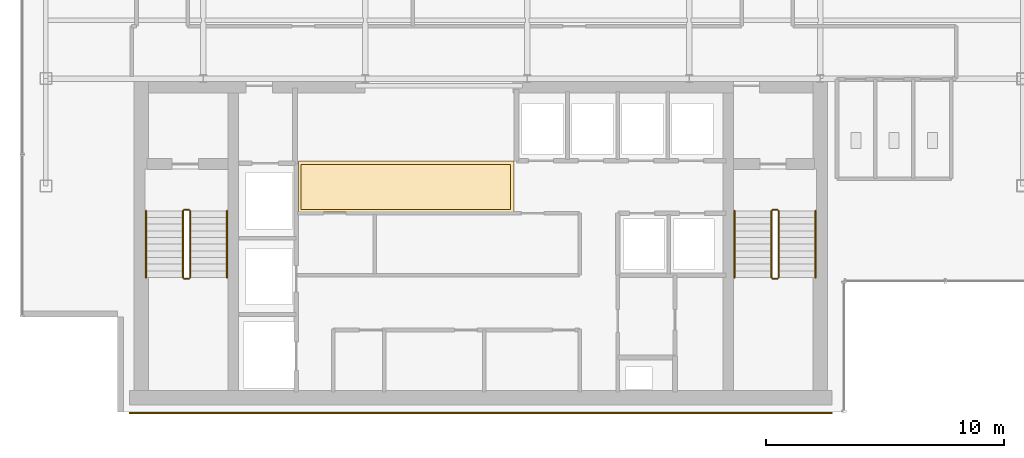
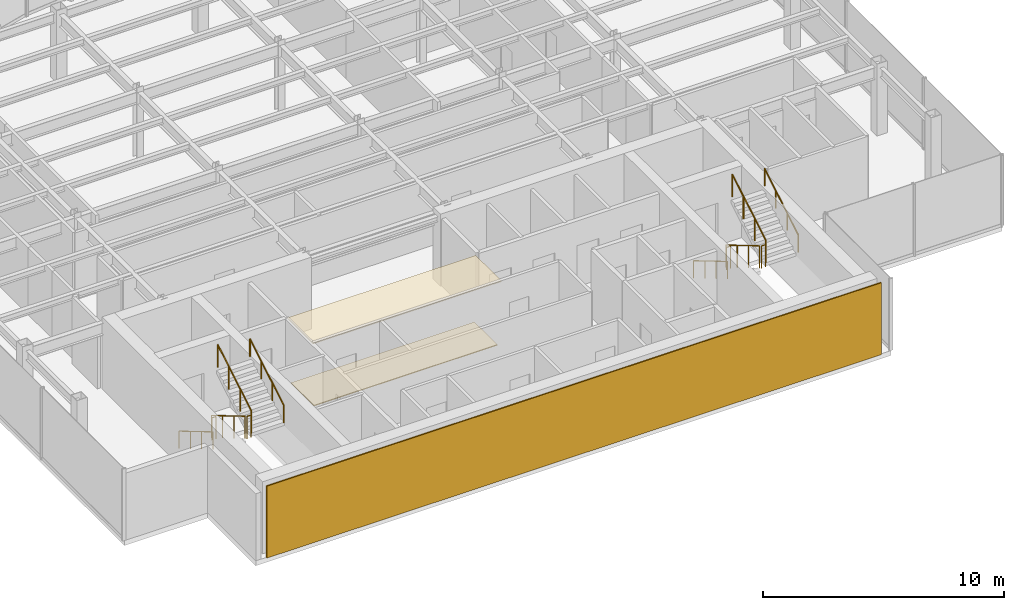
# One storey, part 20 of 22: 12 railings, 3 coverings.
"""IFC4 building model written with IfcOpenShell, lengths in metres."""

from ifc_helpers import new_model, si_unit, derived_unit, direction, frame, origin, origin_2d, place, context, subcontext, project, spatial, polyline, rectangle, circle, outline, extrude, source, transform, mapped, material, layer, layer_set, type_object, element, save


model = new_model("IFC4")

# Units and contexts
model_context = context("Model", 3, precision=1e-05, world=origin(), true_north=direction((0.0, 1.0)))
body_context = subcontext(model_context, "Body", "Model", "MODEL_VIEW")
ifc_project = project(units=[si_unit("LENGTHUNIT", "METRE"), si_unit("AREAUNIT", "SQUARE_METRE"), si_unit("VOLUMEUNIT", "CUBIC_METRE"), si_unit("PLANEANGLEUNIT", "RADIAN"), si_unit("MASSUNIT", "GRAM", prefix="KILO"), derived_unit("THERMALTRANSMITTANCEUNIT", [(si_unit("POWERUNIT", "WATT"), 1), (si_unit("LENGTHUNIT", "METRE"), -2), (si_unit("THERMODYNAMICTEMPERATUREUNIT", "KELVIN"), -1)])], contexts=[model_context])

# Site, building, storey
site_placement = place(None, origin())
site = spatial("IfcSite", under=ifc_project, at=site_placement, CompositionType="ELEMENT")
building_placement = place(site_placement, origin())
building = spatial("IfcBuilding", under=site, at=building_placement, Name="Skarnbrae Concourse Arena and Tower", CompositionType="ELEMENT")
storey_placement = place(building_placement, frame((0.0, 0.0, 240.550048828125)))
storey = spatial("IfcBuildingStorey", under=building, at=storey_placement, Name="L62", CompositionType="ELEMENT", Elevation=240.550048828125)

# Coverings
ifc_material_1 = material(Name="Mineral fibre acoustic ceiling tile", Category="other")
ifc_layer_1 = layer(ifc_material_1, 0.0400390625)
ifc_layer_set_1 = layer_set([ifc_layer_1], Name="Mineral fibre acoustic ceiling tile")
covering_type_1 = type_object("IfcCoveringType", Name="COV-CEIL-ACOUSTIC", PredefinedType="CEILING", material=ifc_layer_set_1)
covering_1_placement = place(storey_placement, frame((0.0, 0.0, 3.239990234375)))
element("IfcCovering", 1, at=covering_1_placement, inside=storey, type_object=covering_type_1, Name="L62 Lift lobby acoustic ceiling", PredefinedType="CEILING", context=body_context, shape_type="SweptSolid", body=[
    extrude(outline(polyline([(11.60009765625, 8.39990234375), (20.64990234375, 8.39990234375), (20.64990234375, 10.550048828125), (11.60009765625, 10.550048828125), (11.60009765625, 8.39990234375)])), origin(), (0.0, 0.0, 1.0), 0.0400390625),
])
ifc_material_2 = material(Name="Polished granite terrazzo flooring", Category="masonry")
ifc_layer_2 = layer(ifc_material_2, 0.0400390625)
ifc_layer_set_2 = layer_set([ifc_layer_2], Name="Polished granite terrazzo flooring")
covering_type_2 = type_object("IfcCoveringType", Name="COV-FLOOR-TERRAZZO", PredefinedType="FLOORING", material=ifc_layer_set_2)
covering_2_placement = place(storey_placement, origin())
element("IfcCovering", 2, at=covering_2_placement, inside=storey, type_object=covering_type_2, Name="L62 Lift lobby terrazzo flooring", PredefinedType="FLOORING", context=body_context, shape_type="SweptSolid", body=[
    extrude(outline(polyline([(11.699951171875, 8.5), (20.5, 8.5), (20.5, 10.39990234375), (11.699951171875, 10.39990234375), (11.699951171875, 8.5)])), origin(), (0.0, 0.0, 1.0), 0.0400390625),
])

# Railings
ifc_material_3 = material(Name="Steel CSA G40.21 350W", Category="steel")
railing_type_1 = type_object("IfcRailingType", Name="RAIL-HANDRAIL-900", PredefinedType="HANDRAIL", material=ifc_material_3)
railing_1_placement = place(storey_placement, frame((5.199951171875, 8.449951171875, 0.165771484375)))
element("IfcRailing", 3, at=railing_1_placement, inside=storey, type_object=railing_type_1, Name="L62 ST-1 stair handrail 1", PredefinedType="HANDRAIL", context=body_context, shape_type="SweptSolid", body=[
    extrude(circle(Radius=0.02392578125, at=origin_2d()), frame((0.0, 0.0, 0.8759765625), z_axis=(0.0, -0.860306154799, 0.50977771628), x_axis=(1.0, 0.0, 0.0)), (0.0, 0.0, 1.0), 3.254638671875),
    extrude(circle(Radius=0.02099609375, at=origin_2d()), origin(), (0.0, 0.0, 1.0), 0.851806640625),
    extrude(circle(Radius=0.02099609375, at=origin_2d()), frame((0.0, -0.933349609375, 0.552978515625)), (0.0, 0.0, 1.0), 0.851806640625),
    extrude(circle(Radius=0.02099609375, at=origin_2d()), frame((0.0, -1.86669921875, 1.106201171875)), (0.0, 0.0, 1.0), 0.851806640625),
    extrude(circle(Radius=0.02099609375, at=origin_2d()), frame((0.0, -2.800048828125, 1.6591796875)), (0.0, 0.0, 1.0), 0.851806640625),
])
railing_2_placement = place(storey_placement, frame((8.60009765625, 5.64990234375, 1.990966796875)))
element("IfcRailing", 4, at=railing_2_placement, inside=storey, type_object=railing_type_1, Name="L62 ST-1 stair handrail 2", PredefinedType="HANDRAIL", context=body_context, shape_type="SweptSolid", body=[
    extrude(circle(Radius=0.02392578125, at=origin_2d()), frame((0.0, 0.0, 0.8759765625), z_axis=(0.0, 0.860339051648, 0.50972219513), x_axis=(-1.0, 0.0, 0.0)), (0.0, 0.0, 1.0), 3.254638671875),
    extrude(circle(Radius=0.02099609375, at=origin_2d()), origin(), (0.0, 0.0, 1.0), 0.851806640625),
    extrude(circle(Radius=0.02099609375, at=origin_2d()), frame((0.0, 0.933349609375, 0.552978515625)), (0.0, 0.0, 1.0), 0.851806640625),
    extrude(circle(Radius=0.02099609375, at=origin_2d()), frame((0.0, 1.86669921875, 1.10595703125)), (0.0, 0.0, 1.0), 0.851806640625),
    extrude(circle(Radius=0.02099609375, at=origin_2d()), frame((0.0, 2.800048828125, 1.658935546875)), (0.0, 0.0, 1.0), 0.851806640625),
])
railing_3_placement = place(storey_placement, frame((29.89990234375, 8.449951171875, 0.165771484375)))
element("IfcRailing", 5, at=railing_3_placement, inside=storey, type_object=railing_type_1, Name="L62 ST-2 stair handrail 1", PredefinedType="HANDRAIL", context=body_context, shape_type="SweptSolid", body=[
    extrude(circle(Radius=0.02392578125, at=origin_2d()), frame((0.0, 0.0, 0.8759765625), z_axis=(0.0, -0.860306154799, 0.50977771628), x_axis=(1.0, 0.0, 0.0)), (0.0, 0.0, 1.0), 3.254638671875),
    extrude(circle(Radius=0.02099609375, at=origin_2d()), origin(), (0.0, 0.0, 1.0), 0.851806640625),
    extrude(circle(Radius=0.02099609375, at=origin_2d()), frame((0.0, -0.933349609375, 0.552978515625)), (0.0, 0.0, 1.0), 0.851806640625),
    extrude(circle(Radius=0.02099609375, at=origin_2d()), frame((0.0, -1.86669921875, 1.106201171875)), (0.0, 0.0, 1.0), 0.851806640625),
    extrude(circle(Radius=0.02099609375, at=origin_2d()), frame((0.0, -2.800048828125, 1.6591796875)), (0.0, 0.0, 1.0), 0.851806640625),
])
railing_4_placement = place(storey_placement, frame((33.300048828125, 5.64990234375, 1.990966796875)))
element("IfcRailing", 6, at=railing_4_placement, inside=storey, type_object=railing_type_1, Name="L62 ST-2 stair handrail 2", PredefinedType="HANDRAIL", context=body_context, shape_type="SweptSolid", body=[
    extrude(circle(Radius=0.02392578125, at=origin_2d()), frame((0.0, 0.0, 0.8759765625), z_axis=(0.0, 0.860339051648, 0.50972219513), x_axis=(-1.0, 0.0, 0.0)), (0.0, 0.0, 1.0), 3.254638671875),
    extrude(circle(Radius=0.02099609375, at=origin_2d()), origin(), (0.0, 0.0, 1.0), 0.851806640625),
    extrude(circle(Radius=0.02099609375, at=origin_2d()), frame((0.0, 0.933349609375, 0.552978515625)), (0.0, 0.0, 1.0), 0.851806640625),
    extrude(circle(Radius=0.02099609375, at=origin_2d()), frame((0.0, 1.86669921875, 1.10595703125)), (0.0, 0.0, 1.0), 0.851806640625),
    extrude(circle(Radius=0.02099609375, at=origin_2d()), frame((0.0, 2.800048828125, 1.658935546875)), (0.0, 0.0, 1.0), 0.851806640625),
])
railing_type_2 = type_object("IfcRailingType", Name="RAIL-STAIR-GUARD-1150", PredefinedType="GUARDRAIL", material=ifc_material_3)
railing_5_placement = place(storey_placement, frame((6.75, 8.449951171875, 0.165771484375)))
element("IfcRailing", 7, at=railing_5_placement, inside=storey, type_object=railing_type_2, Name="L62 ST-1 stair guard 1", PredefinedType="GUARDRAIL", context=body_context, shape_type="SweptSolid", body=[
    extrude(circle(Radius=0.02392578125, at=origin_2d()), frame((0.0, 0.0, 1.1259765625), z_axis=(0.0, -0.860306154799, 0.50977771628), x_axis=(1.0, 0.0, 0.0)), (0.0, 0.0, 1.0), 3.254638671875),
    extrude(circle(Radius=0.02099609375, at=origin_2d()), origin(), (0.0, 0.0, 1.0), 1.101806640625),
    extrude(circle(Radius=0.02099609375, at=origin_2d()), frame((0.0, -0.933349609375, 0.552978515625)), (0.0, 0.0, 1.0), 1.101806640625),
    extrude(circle(Radius=0.02099609375, at=origin_2d()), frame((0.0, -1.86669921875, 1.106201171875)), (0.0, 0.0, 1.0), 1.101806640625),
    extrude(circle(Radius=0.02099609375, at=origin_2d()), frame((0.0, -2.800048828125, 1.6591796875)), (0.0, 0.0, 1.0), 1.101806640625),
])
railing_6_placement = place(storey_placement, frame((6.800048828125, 5.60009765625, 1.824951171875)))
element("IfcRailing", 8, at=railing_6_placement, inside=storey, type_object=railing_type_2, Name="L62 ST-1 stair guard 2", PredefinedType="GUARDRAIL", context=body_context, shape_type="SweptSolid", body=[
    extrude(circle(Radius=0.02392578125, at=origin_2d()), frame((0.0, 0.0, 1.1259765625), z_axis=(1.0, 0.0, 0.0), x_axis=(0.0, 1.0, 0.0)), (0.0, 0.0, 1.0), 0.199951171875),
    extrude(circle(Radius=0.02099609375, at=origin_2d()), origin(), (0.0, 0.0, 1.0), 1.101806640625),
    extrude(circle(Radius=0.02099609375, at=origin_2d()), frame((0.199951171875, 0.0, 0.0)), (0.0, 0.0, 1.0), 1.101806640625),
])
railing_7_placement = place(storey_placement, frame((7.050048828125, 5.64990234375, 1.990966796875)))
element("IfcRailing", 9, at=railing_7_placement, inside=storey, type_object=railing_type_2, Name="L62 ST-1 stair guard 3", PredefinedType="GUARDRAIL", context=body_context, shape_type="SweptSolid", body=[
    extrude(circle(Radius=0.02392578125, at=origin_2d()), frame((0.0, 0.0, 1.1259765625), z_axis=(0.0, 0.860339051648, 0.50972219513), x_axis=(-1.0, 0.0, 0.0)), (0.0, 0.0, 1.0), 3.254638671875),
    extrude(circle(Radius=0.02099609375, at=origin_2d()), origin(), (0.0, 0.0, 1.0), 1.101806640625),
    extrude(circle(Radius=0.02099609375, at=origin_2d()), frame((0.0, 0.933349609375, 0.552978515625)), (0.0, 0.0, 1.0), 1.101806640625),
    extrude(circle(Radius=0.02099609375, at=origin_2d()), frame((0.0, 1.86669921875, 1.10595703125)), (0.0, 0.0, 1.0), 1.101806640625),
    extrude(circle(Radius=0.02099609375, at=origin_2d()), frame((0.0, 2.800048828125, 1.658935546875)), (0.0, 0.0, 1.0), 1.101806640625),
])
railing_8_placement = place(storey_placement, frame((6.800048828125, 8.5, 0.0)))
element("IfcRailing", 10, at=railing_8_placement, inside=storey, type_object=railing_type_2, Name="L62 ST-1 stair guard 4", PredefinedType="GUARDRAIL", context=body_context, shape_type="SweptSolid", body=[
    extrude(circle(Radius=0.02392578125, at=origin_2d()), frame((0.0, 0.0, 1.1259765625), z_axis=(1.0, 0.0, 0.0), x_axis=(0.0, 1.0, 0.0)), (0.0, 0.0, 1.0), 0.199951171875),
    extrude(circle(Radius=0.02099609375, at=origin_2d()), origin(), (0.0, 0.0, 1.0), 1.101806640625),
    extrude(circle(Radius=0.02099609375, at=origin_2d()), frame((0.199951171875, 0.0, 0.0)), (0.0, 0.0, 1.0), 1.101806640625),
])
railing_9_placement = place(storey_placement, frame((31.449951171875, 8.449951171875, 0.165771484375)))
element("IfcRailing", 11, at=railing_9_placement, inside=storey, type_object=railing_type_2, Name="L62 ST-2 stair guard 1", PredefinedType="GUARDRAIL", context=body_context, shape_type="SweptSolid", body=[
    extrude(circle(Radius=0.02392578125, at=origin_2d()), frame((0.0, 0.0, 1.1259765625), z_axis=(0.0, -0.860306154799, 0.50977771628), x_axis=(1.0, 0.0, 0.0)), (0.0, 0.0, 1.0), 3.254638671875),
    extrude(circle(Radius=0.02099609375, at=origin_2d()), origin(), (0.0, 0.0, 1.0), 1.101806640625),
    extrude(circle(Radius=0.02099609375, at=origin_2d()), frame((0.0, -0.933349609375, 0.552978515625)), (0.0, 0.0, 1.0), 1.101806640625),
    extrude(circle(Radius=0.02099609375, at=origin_2d()), frame((0.0, -1.86669921875, 1.106201171875)), (0.0, 0.0, 1.0), 1.101806640625),
    extrude(circle(Radius=0.02099609375, at=origin_2d()), frame((0.0, -2.800048828125, 1.6591796875)), (0.0, 0.0, 1.0), 1.101806640625),
])
railing_10_placement = place(storey_placement, frame((31.5, 5.60009765625, 1.824951171875)))
element("IfcRailing", 12, at=railing_10_placement, inside=storey, type_object=railing_type_2, Name="L62 ST-2 stair guard 2", PredefinedType="GUARDRAIL", context=body_context, shape_type="SweptSolid", body=[
    extrude(circle(Radius=0.02392578125, at=origin_2d()), frame((0.0, 0.0, 1.1259765625), z_axis=(1.0, 0.0, 0.0), x_axis=(0.0, 1.0, 0.0)), (0.0, 0.0, 1.0), 0.199951171875),
    extrude(circle(Radius=0.02099609375, at=origin_2d()), origin(), (0.0, 0.0, 1.0), 1.101806640625),
    extrude(circle(Radius=0.02099609375, at=origin_2d()), frame((0.199951171875, 0.0, 0.0)), (0.0, 0.0, 1.0), 1.101806640625),
])
railing_11_placement = place(storey_placement, frame((31.75, 5.64990234375, 1.990966796875)))
element("IfcRailing", 13, at=railing_11_placement, inside=storey, type_object=railing_type_2, Name="L62 ST-2 stair guard 3", PredefinedType="GUARDRAIL", context=body_context, shape_type="SweptSolid", body=[
    extrude(circle(Radius=0.02392578125, at=origin_2d()), frame((0.0, 0.0, 1.1259765625), z_axis=(0.0, 0.860339051648, 0.50972219513), x_axis=(-1.0, 0.0, 0.0)), (0.0, 0.0, 1.0), 3.254638671875),
    extrude(circle(Radius=0.02099609375, at=origin_2d()), origin(), (0.0, 0.0, 1.0), 1.101806640625),
    extrude(circle(Radius=0.02099609375, at=origin_2d()), frame((0.0, 0.933349609375, 0.552978515625)), (0.0, 0.0, 1.0), 1.101806640625),
    extrude(circle(Radius=0.02099609375, at=origin_2d()), frame((0.0, 1.86669921875, 1.10595703125)), (0.0, 0.0, 1.0), 1.101806640625),
    extrude(circle(Radius=0.02099609375, at=origin_2d()), frame((0.0, 2.800048828125, 1.658935546875)), (0.0, 0.0, 1.0), 1.101806640625),
])
railing_12_placement = place(storey_placement, frame((31.5, 8.5, 0.0)))
element("IfcRailing", 14, at=railing_12_placement, inside=storey, type_object=railing_type_2, Name="L62 ST-2 stair guard 4", PredefinedType="GUARDRAIL", context=body_context, shape_type="SweptSolid", body=[
    extrude(circle(Radius=0.02392578125, at=origin_2d()), frame((0.0, 0.0, 1.1259765625), z_axis=(1.0, 0.0, 0.0), x_axis=(0.0, 1.0, 0.0)), (0.0, 0.0, 1.0), 0.199951171875),
    extrude(circle(Radius=0.02099609375, at=origin_2d()), origin(), (0.0, 0.0, 1.0), 1.101806640625),
    extrude(circle(Radius=0.02099609375, at=origin_2d()), frame((0.199951171875, 0.0, 0.0)), (0.0, 0.0, 1.0), 1.101806640625),
])

# Covering
ifc_material_4 = material(Name="Bronze anodised aluminium 6063-T6", Category="aluminium")
ifc_layer_3 = layer(ifc_material_4, 0.06005859375)
ifc_layer_set_3 = layer_set([ifc_layer_3], Name="Bronze anodised aluminium 6063-T6")
covering_type_3 = type_object("IfcCoveringType", Name="COV-CLAD-BRONZE-60", PredefinedType="CLADDING", material=ifc_layer_set_3)
shared_shape = source(origin(), body_context, "Body", "SweptSolid", [
    extrude(rectangle(XDim=29.5, YDim=0.06005859375, at=origin_2d()), origin(), (0.0, 0.0, 1.0), 3.64990234375),
])
covering_3_placement = place(storey_placement, frame((19.25, -0.030029296875, 0.0), z_axis=(0.0, 0.0, 1.0), x_axis=(1.0, 0.0, 0.0)))
element("IfcCovering", 15, at=covering_3_placement, inside=storey, type_object=covering_type_3, Name="L62 Rear-core plumb spine bronze rainscreen panel", PredefinedType="CLADDING", context=body_context, shape_type="MappedRepresentation", body=[
    mapped(shared_shape, transform((0.0, 0.0, 0.0))),
])

save(model, "model.ifc")
